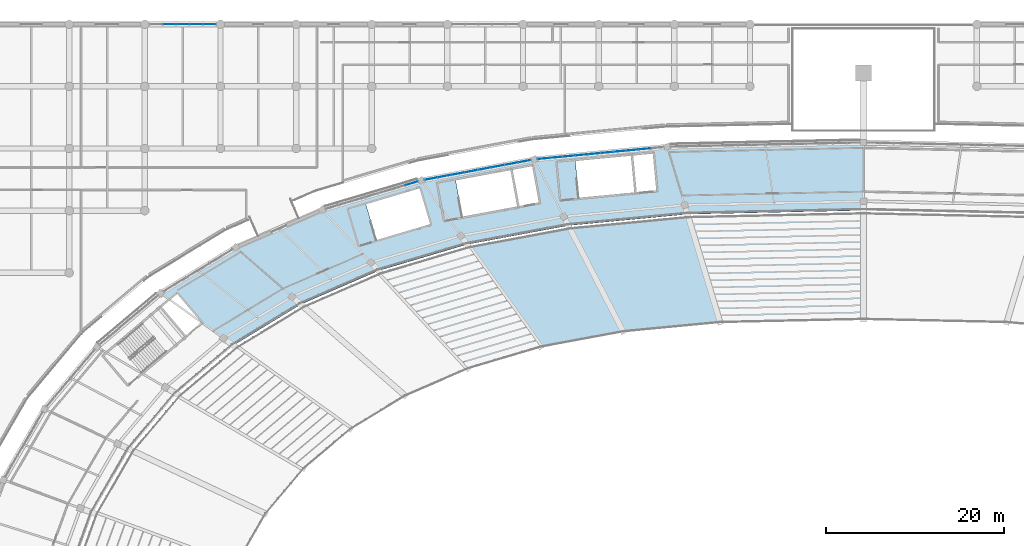
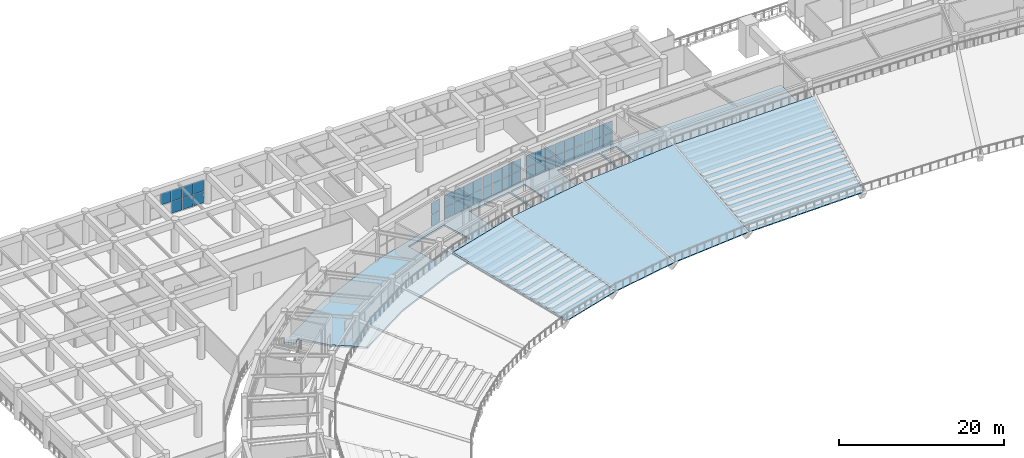
# One storey, part 85 of 137: 43 plates, 5 slabs, 4 elements without a shape of their own.
"""IFC4 building model written with IfcOpenShell, lengths in metres."""

from ifc_helpers import new_model, si_unit, direction, frame, origin, origin_2d, place, context, subcontext, project, spatial, polyline, rectangle, outline, extrude, material, layer, layer_set, type_object, element, aggregate, save


model = new_model("IFC4")

# Units and contexts
model_context = context("Model", 3, precision=1e-05, world=origin(), true_north=direction((0.0, 1.0)))
body_context = subcontext(model_context, "Body", "Model", "MODEL_VIEW")
ifc_project = project(units=[si_unit("LENGTHUNIT", "METRE"), si_unit("AREAUNIT", "SQUARE_METRE"), si_unit("VOLUMEUNIT", "CUBIC_METRE"), si_unit("PLANEANGLEUNIT", "RADIAN"), si_unit("MASSUNIT", "GRAM", prefix="KILO")], contexts=[model_context])

# Site, building, storey
site_placement = place(None, origin())
site = spatial("IfcSite", under=ifc_project, at=site_placement, CompositionType="ELEMENT")
building_placement = place(site_placement, origin())
building = spatial("IfcBuilding", under=site, at=building_placement, Name="Mphavela Belvedere Stadium", CompositionType="ELEMENT")
storey_placement = place(building_placement, frame((0.0, 0.0, 19.199951171875)))
storey = spatial("IfcBuildingStorey", under=building, at=storey_placement, Name="L04", CompositionType="ELEMENT", Elevation=19.199951171875)

# Curtain wall, plates
ifc_material_1 = material(Name="Anodised bronze unitised curtain wall framing")
ifc_layer_1 = layer(ifc_material_1, 0.195068359375)
ifc_layer_set_1 = layer_set([ifc_layer_1], Name="Anodised bronze unitised curtain wall framing")
curtain_wall_type_1 = type_object("IfcCurtainWallType", Name="CW-UNIT-04", PredefinedType="USERDEFINED", material=ifc_layer_set_1)
curtain_wall_1_placement = place(storey_placement, origin())
curtain_wall_1 = element("IfcCurtainWall", 1, at=curtain_wall_1_placement, inside=storey, type_object=curtain_wall_type_1, Name="Belvedere colonnade curtain wall L04-14", ObjectType="UNITISED CURTAIN WALL", PredefinedType="USERDEFINED")
ifc_material_2 = material(Name="Solar-control double glazing", Category="glass")
ifc_layer_2 = layer(ifc_material_2, 0.031982421875)
ifc_layer_set_2 = layer_set([ifc_layer_2], Name="Solar-control double glazing")
plate_type = type_object("IfcPlateType", Name="CWP-SOLAR-GLASS", PredefinedType="CURTAIN_PANEL", material=ifc_layer_set_2)
plate_1_placement = place(storey_placement, frame((90.399169921875, 159.956787109375, 0.06005859375), z_axis=(0.0, 0.0, 1.0), x_axis=(-0.995483672335, -0.094932913757, 0.0)))
plate_1 = element("IfcPlate", 2, at=plate_1_placement, type_object=plate_type, Name="CW-04 panel 2.1", PredefinedType="CURTAIN_PANEL", context=body_context, shape_type="SweptSolid", body=[
    extrude(rectangle(XDim=1.367919921875, YDim=0.031982421875, at=origin_2d()), origin(), (0.0, 0.0, 1.0), 1.695068359375),
])
plate_2_placement = place(storey_placement, frame((90.399169921875, 159.956787109375, 1.81494140625), z_axis=(0.0, 0.0, 1.0), x_axis=(-0.995483672335, -0.094932913757, 0.0)))
plate_2 = element("IfcPlate", 3, at=plate_2_placement, type_object=plate_type, Name="CW-04 panel 2.2", PredefinedType="CURTAIN_PANEL", context=body_context, shape_type="SweptSolid", body=[
    extrude(rectangle(XDim=1.367919921875, YDim=0.031982421875, at=origin_2d()), origin(), (0.0, 0.0, 1.0), 1.695068359375),
])
plate_3_placement = place(storey_placement, frame((88.97265625, 159.82080078125, 0.06005859375), z_axis=(0.0, 0.0, 1.0), x_axis=(-0.995483672335, -0.094932913757, 0.0)))
plate_3 = element("IfcPlate", 4, at=plate_3_placement, type_object=plate_type, Name="CW-04 panel 3.1", PredefinedType="CURTAIN_PANEL", context=body_context, shape_type="SweptSolid", body=[
    extrude(rectangle(XDim=1.367919921875, YDim=0.031982421875, at=origin_2d()), origin(), (0.0, 0.0, 1.0), 1.695068359375),
])
plate_4_placement = place(storey_placement, frame((88.97265625, 159.82080078125, 1.81494140625), z_axis=(0.0, 0.0, 1.0), x_axis=(-0.995483672335, -0.094932913757, 0.0)))
plate_4 = element("IfcPlate", 5, at=plate_4_placement, type_object=plate_type, Name="CW-04 panel 3.2", PredefinedType="CURTAIN_PANEL", context=body_context, shape_type="SweptSolid", body=[
    extrude(rectangle(XDim=1.367919921875, YDim=0.031982421875, at=origin_2d()), origin(), (0.0, 0.0, 1.0), 1.695068359375),
])
plate_5_placement = place(storey_placement, frame((87.546142578125, 159.6845703125, 0.06005859375), z_axis=(0.0, 0.0, 1.0), x_axis=(-0.995483672335, -0.094932913757, 0.0)))
plate_5 = element("IfcPlate", 6, at=plate_5_placement, type_object=plate_type, Name="CW-04 panel 4.1", PredefinedType="CURTAIN_PANEL", context=body_context, shape_type="SweptSolid", body=[
    extrude(rectangle(XDim=1.367919921875, YDim=0.031982421875, at=origin_2d()), origin(), (0.0, 0.0, 1.0), 1.695068359375),
])
plate_6_placement = place(storey_placement, frame((87.546142578125, 159.6845703125, 1.81494140625), z_axis=(0.0, 0.0, 1.0), x_axis=(-0.995483672335, -0.094932913757, 0.0)))
plate_6 = element("IfcPlate", 7, at=plate_6_placement, type_object=plate_type, Name="CW-04 panel 4.2", PredefinedType="CURTAIN_PANEL", context=body_context, shape_type="SweptSolid", body=[
    extrude(rectangle(XDim=1.367919921875, YDim=0.031982421875, at=origin_2d()), origin(), (0.0, 0.0, 1.0), 1.695068359375),
])
plate_7_placement = place(storey_placement, frame((86.11962890625, 159.548583984375, 0.06005859375), z_axis=(0.0, 0.0, 1.0), x_axis=(-0.995483672335, -0.094932913757, 0.0)))
plate_7 = element("IfcPlate", 8, at=plate_7_placement, type_object=plate_type, Name="CW-04 panel 5.1", PredefinedType="CURTAIN_PANEL", context=body_context, shape_type="SweptSolid", body=[
    extrude(rectangle(XDim=1.367919921875, YDim=0.031982421875, at=origin_2d()), origin(), (0.0, 0.0, 1.0), 1.695068359375),
])
plate_8_placement = place(storey_placement, frame((86.11962890625, 159.548583984375, 1.81494140625), z_axis=(0.0, 0.0, 1.0), x_axis=(-0.995483672335, -0.094932913757, 0.0)))
plate_8 = element("IfcPlate", 9, at=plate_8_placement, type_object=plate_type, Name="CW-04 panel 5.2", PredefinedType="CURTAIN_PANEL", context=body_context, shape_type="SweptSolid", body=[
    extrude(rectangle(XDim=1.367919921875, YDim=0.031982421875, at=origin_2d()), origin(), (0.0, 0.0, 1.0), 1.695068359375),
])
plate_9_placement = place(storey_placement, frame((84.693115234375, 159.41259765625, 0.06005859375), z_axis=(0.0, 0.0, 1.0), x_axis=(-0.995483672335, -0.094932913757, 0.0)))
plate_9 = element("IfcPlate", 10, at=plate_9_placement, type_object=plate_type, Name="CW-04 panel 6.1", PredefinedType="CURTAIN_PANEL", context=body_context, shape_type="SweptSolid", body=[
    extrude(rectangle(XDim=1.367919921875, YDim=0.031982421875, at=origin_2d()), origin(), (0.0, 0.0, 1.0), 1.695068359375),
])
plate_10_placement = place(storey_placement, frame((84.693115234375, 159.41259765625, 1.81494140625), z_axis=(0.0, 0.0, 1.0), x_axis=(-0.995483672335, -0.094932913757, 0.0)))
plate_10 = element("IfcPlate", 11, at=plate_10_placement, type_object=plate_type, Name="CW-04 panel 6.2", PredefinedType="CURTAIN_PANEL", context=body_context, shape_type="SweptSolid", body=[
    extrude(rectangle(XDim=1.367919921875, YDim=0.031982421875, at=origin_2d()), origin(), (0.0, 0.0, 1.0), 1.695068359375),
])
plate_11_placement = place(storey_placement, frame((83.2666015625, 159.276611328125, 0.06005859375), z_axis=(0.0, 0.0, 1.0), x_axis=(-0.995483672335, -0.094932913757, 0.0)))
plate_11 = element("IfcPlate", 12, at=plate_11_placement, type_object=plate_type, Name="CW-04 panel 7.1", PredefinedType="CURTAIN_PANEL", context=body_context, shape_type="SweptSolid", body=[
    extrude(rectangle(XDim=1.367919921875, YDim=0.031982421875, at=origin_2d()), origin(), (0.0, 0.0, 1.0), 1.695068359375),
])
plate_12_placement = place(storey_placement, frame((83.2666015625, 159.276611328125, 1.81494140625), z_axis=(0.0, 0.0, 1.0), x_axis=(-0.995483672335, -0.094932913757, 0.0)))
plate_12 = element("IfcPlate", 13, at=plate_12_placement, type_object=plate_type, Name="CW-04 panel 7.2", PredefinedType="CURTAIN_PANEL", context=body_context, shape_type="SweptSolid", body=[
    extrude(rectangle(XDim=1.367919921875, YDim=0.031982421875, at=origin_2d()), origin(), (0.0, 0.0, 1.0), 1.695068359375),
])
plate_13_placement = place(storey_placement, frame((81.83984375, 159.140380859375, 0.06005859375), z_axis=(0.0, 0.0, 1.0), x_axis=(-0.995483672335, -0.094932913757, 0.0)))
plate_13 = element("IfcPlate", 14, at=plate_13_placement, type_object=plate_type, Name="CW-04 panel 8.1", PredefinedType="CURTAIN_PANEL", context=body_context, shape_type="SweptSolid", body=[
    extrude(rectangle(XDim=1.367919921875, YDim=0.031982421875, at=origin_2d()), origin(), (0.0, 0.0, 1.0), 1.695068359375),
])
plate_14_placement = place(storey_placement, frame((81.83984375, 159.140380859375, 1.81494140625), z_axis=(0.0, 0.0, 1.0), x_axis=(-0.995483672335, -0.094932913757, 0.0)))
plate_14 = element("IfcPlate", 15, at=plate_14_placement, type_object=plate_type, Name="CW-04 panel 8.2", PredefinedType="CURTAIN_PANEL", context=body_context, shape_type="SweptSolid", body=[
    extrude(rectangle(XDim=1.367919921875, YDim=0.031982421875, at=origin_2d()), origin(), (0.0, 0.0, 1.0), 1.695068359375),
])
plate_15_placement = place(storey_placement, frame((80.413330078125, 159.00439453125, 0.06005859375), z_axis=(0.0, 0.0, 1.0), x_axis=(-0.995483672335, -0.094932913757, 0.0)))
plate_15 = element("IfcPlate", 16, at=plate_15_placement, type_object=plate_type, Name="CW-04 panel 9.1", PredefinedType="CURTAIN_PANEL", context=body_context, shape_type="SweptSolid", body=[
    extrude(rectangle(XDim=1.367919921875, YDim=0.031982421875, at=origin_2d()), origin(), (0.0, 0.0, 1.0), 1.695068359375),
])
plate_16_placement = place(storey_placement, frame((80.413330078125, 159.00439453125, 1.81494140625), z_axis=(0.0, 0.0, 1.0), x_axis=(-0.995483672335, -0.094932913757, 0.0)))
plate_16 = element("IfcPlate", 17, at=plate_16_placement, type_object=plate_type, Name="CW-04 panel 9.2", PredefinedType="CURTAIN_PANEL", context=body_context, shape_type="SweptSolid", body=[
    extrude(rectangle(XDim=1.367919921875, YDim=0.031982421875, at=origin_2d()), origin(), (0.0, 0.0, 1.0), 1.695068359375),
])
plate_17_placement = place(storey_placement, frame((79.0029296875, 158.869873046875, 0.06005859375), z_axis=(0.0, 0.0, 1.0), x_axis=(-0.995483672335, -0.094932913757, 0.0)))
plate_17 = element("IfcPlate", 18, at=plate_17_placement, type_object=plate_type, Name="CW-04 panel 10.1", PredefinedType="CURTAIN_PANEL", context=body_context, shape_type="SweptSolid", body=[
    extrude(rectangle(XDim=1.33544921875, YDim=0.031982421875, at=origin_2d()), origin(), (0.0, 0.0, 1.0), 1.695068359375),
])
plate_18_placement = place(storey_placement, frame((79.0029296875, 158.869873046875, 1.81494140625), z_axis=(0.0, 0.0, 1.0), x_axis=(-0.995483672335, -0.094932913757, 0.0)))
plate_18 = element("IfcPlate", 19, at=plate_18_placement, type_object=plate_type, Name="CW-04 panel 10.2", PredefinedType="CURTAIN_PANEL", context=body_context, shape_type="SweptSolid", body=[
    extrude(rectangle(XDim=1.33544921875, YDim=0.031982421875, at=origin_2d()), origin(), (0.0, 0.0, 1.0), 1.695068359375),
])
aggregate(curtain_wall_1, [plate_1, plate_2, plate_3, plate_4, plate_5, plate_6, plate_7, plate_8, plate_9, plate_10, plate_11, plate_12, plate_13, plate_14, plate_15, plate_16, plate_17, plate_18])

ifc_material_3 = material(Name="Anodised bronze unitised curtain wall framing")
ifc_layer_3 = layer(ifc_material_3, 0.199951171875)
ifc_layer_set_3 = layer_set([ifc_layer_3], Name="Anodised bronze unitised curtain wall framing")
curtain_wall_type_2 = type_object("IfcCurtainWallType", Name="CW-UNIT-05", PredefinedType="USERDEFINED", material=ifc_layer_set_3)
curtain_wall_2_placement = place(storey_placement, origin())
curtain_wall_2 = element("IfcCurtainWall", 20, at=curtain_wall_2_placement, inside=storey, type_object=curtain_wall_type_2, Name="Belvedere colonnade curtain wall L04-15", ObjectType="UNITISED CURTAIN WALL", PredefinedType="USERDEFINED")
plate_19_placement = place(storey_placement, frame((76.81640625, 158.560546875, 0.06005859375), z_axis=(0.0, 0.0, 1.0), x_axis=(-0.983096000413, -0.183090835302, 0.0)))
plate_19 = element("IfcPlate", 21, at=plate_19_placement, type_object=plate_type, Name="CW-05 panel 1.1", PredefinedType="CURTAIN_PANEL", context=body_context, shape_type="SweptSolid", body=[
    extrude(rectangle(XDim=1.433837890625, YDim=0.031982421875, at=origin_2d()), origin(), (0.0, 0.0, 1.0), 1.695068359375),
])
plate_20_placement = place(storey_placement, frame((76.81640625, 158.560546875, 1.81494140625), z_axis=(0.0, 0.0, 1.0), x_axis=(-0.983096000413, -0.183090835302, 0.0)))
plate_20 = element("IfcPlate", 22, at=plate_20_placement, type_object=plate_type, Name="CW-05 panel 1.2", PredefinedType="CURTAIN_PANEL", context=body_context, shape_type="SweptSolid", body=[
    extrude(rectangle(XDim=1.433837890625, YDim=0.031982421875, at=origin_2d()), origin(), (0.0, 0.0, 1.0), 1.695068359375),
])
plate_21_placement = place(storey_placement, frame((75.326904296875, 158.283203125, 0.06005859375), z_axis=(0.0, 0.0, 1.0), x_axis=(-0.983096000413, -0.183090835302, 0.0)))
plate_21 = element("IfcPlate", 23, at=plate_21_placement, type_object=plate_type, Name="CW-05 panel 2.1", PredefinedType="CURTAIN_PANEL", context=body_context, shape_type="SweptSolid", body=[
    extrude(rectangle(XDim=1.46630859375, YDim=0.031982421875, at=origin_2d()), origin(), (0.0, 0.0, 1.0), 1.695068359375),
])
plate_22_placement = place(storey_placement, frame((75.326904296875, 158.283203125, 1.81494140625), z_axis=(0.0, 0.0, 1.0), x_axis=(-0.983096000413, -0.183090835302, 0.0)))
plate_22 = element("IfcPlate", 24, at=plate_22_placement, type_object=plate_type, Name="CW-05 panel 2.2", PredefinedType="CURTAIN_PANEL", context=body_context, shape_type="SweptSolid", body=[
    extrude(rectangle(XDim=1.46630859375, YDim=0.031982421875, at=origin_2d()), origin(), (0.0, 0.0, 1.0), 1.695068359375),
])
plate_23_placement = place(storey_placement, frame((73.8212890625, 158.002685546875, 0.06005859375), z_axis=(0.0, 0.0, 1.0), x_axis=(-0.983096000413, -0.183090835302, 0.0)))
plate_23 = element("IfcPlate", 25, at=plate_23_placement, type_object=plate_type, Name="CW-05 panel 3.1", PredefinedType="CURTAIN_PANEL", context=body_context, shape_type="SweptSolid", body=[
    extrude(rectangle(XDim=1.46630859375, YDim=0.031982421875, at=origin_2d()), origin(), (0.0, 0.0, 1.0), 1.695068359375),
])
plate_24_placement = place(storey_placement, frame((73.8212890625, 158.002685546875, 1.81494140625), z_axis=(0.0, 0.0, 1.0), x_axis=(-0.983096000413, -0.183090835302, 0.0)))
plate_24 = element("IfcPlate", 26, at=plate_24_placement, type_object=plate_type, Name="CW-05 panel 3.2", PredefinedType="CURTAIN_PANEL", context=body_context, shape_type="SweptSolid", body=[
    extrude(rectangle(XDim=1.46630859375, YDim=0.031982421875, at=origin_2d()), origin(), (0.0, 0.0, 1.0), 1.695068359375),
])
plate_25_placement = place(storey_placement, frame((72.315673828125, 157.722412109375, 0.06005859375), z_axis=(0.0, 0.0, 1.0), x_axis=(-0.983096000413, -0.183090835302, 0.0)))
plate_25 = element("IfcPlate", 27, at=plate_25_placement, type_object=plate_type, Name="CW-05 panel 4.1", PredefinedType="CURTAIN_PANEL", context=body_context, shape_type="SweptSolid", body=[
    extrude(rectangle(XDim=1.46630859375, YDim=0.031982421875, at=origin_2d()), origin(), (0.0, 0.0, 1.0), 1.695068359375),
])
plate_26_placement = place(storey_placement, frame((72.315673828125, 157.722412109375, 1.81494140625), z_axis=(0.0, 0.0, 1.0), x_axis=(-0.983096000413, -0.183090835302, 0.0)))
plate_26 = element("IfcPlate", 28, at=plate_26_placement, type_object=plate_type, Name="CW-05 panel 4.2", PredefinedType="CURTAIN_PANEL", context=body_context, shape_type="SweptSolid", body=[
    extrude(rectangle(XDim=1.46630859375, YDim=0.031982421875, at=origin_2d()), origin(), (0.0, 0.0, 1.0), 1.695068359375),
])
plate_27_placement = place(storey_placement, frame((70.810302734375, 157.44189453125, 0.06005859375), z_axis=(0.0, 0.0, 1.0), x_axis=(-0.983096000413, -0.183090835302, 0.0)))
plate_27 = element("IfcPlate", 29, at=plate_27_placement, type_object=plate_type, Name="CW-05 panel 5.1", PredefinedType="CURTAIN_PANEL", context=body_context, shape_type="SweptSolid", body=[
    extrude(rectangle(XDim=1.46630859375, YDim=0.031982421875, at=origin_2d()), origin(), (0.0, 0.0, 1.0), 1.695068359375),
])
plate_28_placement = place(storey_placement, frame((70.810302734375, 157.44189453125, 1.81494140625), z_axis=(0.0, 0.0, 1.0), x_axis=(-0.983096000413, -0.183090835302, 0.0)))
plate_28 = element("IfcPlate", 30, at=plate_28_placement, type_object=plate_type, Name="CW-05 panel 5.2", PredefinedType="CURTAIN_PANEL", context=body_context, shape_type="SweptSolid", body=[
    extrude(rectangle(XDim=1.46630859375, YDim=0.031982421875, at=origin_2d()), origin(), (0.0, 0.0, 1.0), 1.695068359375),
])
plate_29_placement = place(storey_placement, frame((69.3046875, 157.16162109375, 0.06005859375), z_axis=(0.0, 0.0, 1.0), x_axis=(-0.983096000413, -0.183090835302, 0.0)))
plate_29 = element("IfcPlate", 31, at=plate_29_placement, type_object=plate_type, Name="CW-05 panel 6.1", PredefinedType="CURTAIN_PANEL", context=body_context, shape_type="SweptSolid", body=[
    extrude(rectangle(XDim=1.46630859375, YDim=0.031982421875, at=origin_2d()), origin(), (0.0, 0.0, 1.0), 1.695068359375),
])
plate_30_placement = place(storey_placement, frame((69.3046875, 157.16162109375, 1.81494140625), z_axis=(0.0, 0.0, 1.0), x_axis=(-0.983096000413, -0.183090835302, 0.0)))
plate_30 = element("IfcPlate", 32, at=plate_30_placement, type_object=plate_type, Name="CW-05 panel 6.2", PredefinedType="CURTAIN_PANEL", context=body_context, shape_type="SweptSolid", body=[
    extrude(rectangle(XDim=1.46630859375, YDim=0.031982421875, at=origin_2d()), origin(), (0.0, 0.0, 1.0), 1.695068359375),
])
plate_31_placement = place(storey_placement, frame((67.799072265625, 156.881103515625, 0.06005859375), z_axis=(0.0, 0.0, 1.0), x_axis=(-0.983096000413, -0.183090835302, 0.0)))
plate_31 = element("IfcPlate", 33, at=plate_31_placement, type_object=plate_type, Name="CW-05 panel 7.1", PredefinedType="CURTAIN_PANEL", context=body_context, shape_type="SweptSolid", body=[
    extrude(rectangle(XDim=1.46630859375, YDim=0.031982421875, at=origin_2d()), origin(), (0.0, 0.0, 1.0), 1.695068359375),
])
plate_32_placement = place(storey_placement, frame((67.799072265625, 156.881103515625, 1.81494140625), z_axis=(0.0, 0.0, 1.0), x_axis=(-0.983096000413, -0.183090835302, 0.0)))
plate_32 = element("IfcPlate", 34, at=plate_32_placement, type_object=plate_type, Name="CW-05 panel 7.2", PredefinedType="CURTAIN_PANEL", context=body_context, shape_type="SweptSolid", body=[
    extrude(rectangle(XDim=1.46630859375, YDim=0.031982421875, at=origin_2d()), origin(), (0.0, 0.0, 1.0), 1.695068359375),
])
plate_33_placement = place(storey_placement, frame((66.3095703125, 156.603759765625, 0.06005859375), z_axis=(0.0, 0.0, 1.0), x_axis=(-0.983096000413, -0.183090835302, 0.0)))
plate_33 = element("IfcPlate", 35, at=plate_33_placement, type_object=plate_type, Name="CW-05 panel 8.1", PredefinedType="CURTAIN_PANEL", context=body_context, shape_type="SweptSolid", body=[
    extrude(rectangle(XDim=1.433837890625, YDim=0.031982421875, at=origin_2d()), origin(), (0.0, 0.0, 1.0), 1.695068359375),
])
plate_34_placement = place(storey_placement, frame((66.3095703125, 156.603759765625, 1.81494140625), z_axis=(0.0, 0.0, 1.0), x_axis=(-0.983096000413, -0.183090835302, 0.0)))
plate_34 = element("IfcPlate", 36, at=plate_34_placement, type_object=plate_type, Name="CW-05 panel 8.2", PredefinedType="CURTAIN_PANEL", context=body_context, shape_type="SweptSolid", body=[
    extrude(rectangle(XDim=1.433837890625, YDim=0.031982421875, at=origin_2d()), origin(), (0.0, 0.0, 1.0), 1.695068359375),
])
aggregate(curtain_wall_2, [plate_19, plate_20, plate_21, plate_22, plate_23, plate_24, plate_25, plate_26, plate_27, plate_28, plate_29, plate_30, plate_31, plate_32, plate_33, plate_34])

ifc_material_4 = material(Name="Anodised bronze unitised curtain wall framing")
ifc_layer_4 = layer(ifc_material_4, 0.205078125)
ifc_layer_set_4 = layer_set([ifc_layer_4], Name="Anodised bronze unitised curtain wall framing")
curtain_wall_type_3 = type_object("IfcCurtainWallType", Name="CW-UNIT-06", PredefinedType="USERDEFINED", material=ifc_layer_set_4)
curtain_wall_3_placement = place(storey_placement, origin())
curtain_wall_3 = element("IfcCurtainWall", 37, at=curtain_wall_3_placement, inside=storey, type_object=curtain_wall_type_3, Name="Belvedere colonnade curtain wall L04-16", ObjectType="UNITISED CURTAIN WALL", PredefinedType="USERDEFINED")
plate_35_placement = place(storey_placement, frame((64.101806640625, 156.0712890625, 0.06005859375), z_axis=(0.0, 0.0, 1.0), x_axis=(-0.958657951671, -0.284560945489, 0.0)))
plate_35 = element("IfcPlate", 38, at=plate_35_placement, type_object=plate_type, Name="CW-06 panel 1.1", PredefinedType="CURTAIN_PANEL", context=body_context, shape_type="SweptSolid", body=[
    extrude(rectangle(XDim=1.462646484375, YDim=0.031982421875, at=origin_2d()), origin(), (0.0, 0.0, 1.0), 1.695068359375),
])
plate_36_placement = place(storey_placement, frame((64.101806640625, 156.0712890625, 1.81494140625), z_axis=(0.0, 0.0, 1.0), x_axis=(-0.958657951671, -0.284560945489, 0.0)))
plate_36 = element("IfcPlate", 39, at=plate_36_placement, type_object=plate_type, Name="CW-06 panel 1.2", PredefinedType="CURTAIN_PANEL", context=body_context, shape_type="SweptSolid", body=[
    extrude(rectangle(XDim=1.462646484375, YDim=0.031982421875, at=origin_2d()), origin(), (0.0, 0.0, 1.0), 1.695068359375),
])
aggregate(curtain_wall_3, [plate_35, plate_36])

curtain_wall_4_placement = place(storey_placement, origin())
curtain_wall_4 = element("IfcCurtainWall", 40, at=curtain_wall_4_placement, inside=storey, type_object=curtain_wall_type_1, Name="North Mast and Ceremonial End Forecourt gallery curtain wall L04-05", ObjectType="UNITISED CURTAIN WALL", PredefinedType="USERDEFINED")
plate_37_placement = place(storey_placement, frame((36.81884765625, 174.0, 1.81005859375), z_axis=(0.0, 0.0, 1.0), x_axis=(1.0, 0.0, 0.0)))
plate_37 = element("IfcPlate", 41, at=plate_37_placement, type_object=plate_type, Name="CW-04 panel 2.2", PredefinedType="CURTAIN_PANEL", context=body_context, shape_type="SweptSolid", body=[
    extrude(rectangle(XDim=1.44970703125, YDim=0.031982421875, at=origin_2d()), origin(), (0.0, 0.0, 1.0), 1.68994140625),
])
plate_38_placement = place(storey_placement, frame((38.33349609375, 174.0, 0.06005859375), z_axis=(0.0, 0.0, 1.0), x_axis=(1.0, 0.0, 0.0)))
plate_38 = element("IfcPlate", 42, at=plate_38_placement, type_object=plate_type, Name="CW-04 panel 3.1", PredefinedType="CURTAIN_PANEL", context=body_context, shape_type="SweptSolid", body=[
    extrude(rectangle(XDim=1.44970703125, YDim=0.031982421875, at=origin_2d()), origin(), (0.0, 0.0, 1.0), 1.68994140625),
])
plate_39_placement = place(storey_placement, frame((38.33349609375, 174.0, 1.81005859375), z_axis=(0.0, 0.0, 1.0), x_axis=(1.0, 0.0, 0.0)))
plate_39 = element("IfcPlate", 43, at=plate_39_placement, type_object=plate_type, Name="CW-04 panel 3.2", PredefinedType="CURTAIN_PANEL", context=body_context, shape_type="SweptSolid", body=[
    extrude(rectangle(XDim=1.44970703125, YDim=0.031982421875, at=origin_2d()), origin(), (0.0, 0.0, 1.0), 1.68994140625),
])
plate_40_placement = place(storey_placement, frame((39.84814453125, 174.0, 0.06005859375), z_axis=(0.0, 0.0, 1.0), x_axis=(1.0, 0.0, 0.0)))
plate_40 = element("IfcPlate", 44, at=plate_40_placement, type_object=plate_type, Name="CW-04 panel 4.1", PredefinedType="CURTAIN_PANEL", context=body_context, shape_type="SweptSolid", body=[
    extrude(rectangle(XDim=1.44970703125, YDim=0.031982421875, at=origin_2d()), origin(), (0.0, 0.0, 1.0), 1.68994140625),
])
plate_41_placement = place(storey_placement, frame((39.84814453125, 174.0, 1.81005859375), z_axis=(0.0, 0.0, 1.0), x_axis=(1.0, 0.0, 0.0)))
plate_41 = element("IfcPlate", 45, at=plate_41_placement, type_object=plate_type, Name="CW-04 panel 4.2", PredefinedType="CURTAIN_PANEL", context=body_context, shape_type="SweptSolid", body=[
    extrude(rectangle(XDim=1.44970703125, YDim=0.031982421875, at=origin_2d()), origin(), (0.0, 0.0, 1.0), 1.68994140625),
])
plate_42_placement = place(storey_placement, frame((41.346435546875, 174.0, 0.06005859375), z_axis=(0.0, 0.0, 1.0), x_axis=(1.0, 0.0, 0.0)))
plate_42 = element("IfcPlate", 46, at=plate_42_placement, type_object=plate_type, Name="CW-04 panel 5.1", PredefinedType="CURTAIN_PANEL", context=body_context, shape_type="SweptSolid", body=[
    extrude(rectangle(XDim=1.4169921875, YDim=0.031982421875, at=origin_2d()), origin(), (0.0, 0.0, 1.0), 1.68994140625),
])
plate_43_placement = place(storey_placement, frame((41.346435546875, 174.0, 1.81005859375), z_axis=(0.0, 0.0, 1.0), x_axis=(1.0, 0.0, 0.0)))
plate_43 = element("IfcPlate", 47, at=plate_43_placement, type_object=plate_type, Name="CW-04 panel 5.2", PredefinedType="CURTAIN_PANEL", context=body_context, shape_type="SweptSolid", body=[
    extrude(rectangle(XDim=1.4169921875, YDim=0.031982421875, at=origin_2d()), origin(), (0.0, 0.0, 1.0), 1.68994140625),
])
aggregate(curtain_wall_4, [plate_37, plate_38, plate_39, plate_40, plate_41, plate_42, plate_43])

# Slabs
ifc_material_5 = material(Name="Concrete C40/50", Category="concrete")
ifc_layer_5 = layer(ifc_material_5, 0.25)
ifc_layer_set_5 = layer_set([ifc_layer_5], Name="Concrete C40/50")
slab_type_1 = type_object("IfcSlabType", Name="SLB-CONCOURSE-250", PredefinedType="FLOOR", material=ifc_layer_set_5)
slab_1_placement = place(storey_placement, frame((0.0, 0.0, -0.25)))
element("IfcSlab", 48, at=slab_1_placement, inside=storey, type_object=slab_type_1, Name="Concourse sector slab L04-S3", PredefinedType="FLOOR", context=body_context, shape_type="SweptSolid", body=[
    extrude(outline(polyline([(77.92724609375, 158.767333984375), (92.885498046875, 160.19384765625), (115.0, 160.669921875), (115.0, 153.02490234375), (95.180419921875, 152.59814453125), (81.7744140625, 151.31982421875), (70.366943359375, 149.1953125), (60.385986328125, 146.232666015625), (51.64013671875, 142.44140625), (44.05859375, 137.8291015625), (40.400634765625, 140.449951171875), (37.727294921875, 143.617919921875), (36.924560546875, 142.940673828125), (35.844482421875, 143.714599609375), (44.3037109375, 148.86083984375), (54.0625, 153.09130859375), (65.19873046875, 156.39697265625), (77.92724609375, 158.767333984375)]), holes=[polyline([(75.262939453125, 157.58203125), (69.073486328125, 156.429443359375), (69.840576171875, 152.310302734375), (76.0302734375, 153.462890625), (75.262939453125, 157.58203125)]), polyline([(77.701171875, 158.0361328125), (75.479248046875, 157.622314453125), (76.246337890625, 153.503173828125), (78.46826171875, 153.9169921875), (77.701171875, 158.0361328125)]), polyline([(82.956787109375, 154.442626953125), (89.224365234375, 155.04052734375), (88.826416015625, 159.211669921875), (82.558837890625, 158.61376953125), (82.956787109375, 154.442626953125)]), polyline([(89.443359375, 155.0615234375), (91.693115234375, 155.276123046875), (91.295166015625, 159.447265625), (89.04541015625, 159.232421875), (89.443359375, 155.0615234375)]), polyline([(66.2001953125, 151.490234375), (65.008056640625, 155.507080078125), (58.97216796875, 153.7158203125), (60.164306640625, 149.698974609375), (66.2001953125, 151.490234375)])]), origin(), (0.0, 0.0, 1.0), 0.25),
])
ifc_material_6 = material(Name="Precast concrete C45/55", Category="concrete")
ifc_layer_6 = layer(ifc_material_6, 0.25)
ifc_layer_set_6 = layer_set([ifc_layer_6], Name="Precast concrete C45/55")
slab_type_2 = type_object("IfcSlabType", Name="SLB-TIER-UPPER", PredefinedType="USERDEFINED", material=ifc_layer_set_6)
slab_2_placement = place(storey_placement, frame((115.0, 140.79296875, -3.75), z_axis=(0.01092721603, -0.507481607942, 0.861593299388), x_axis=(-0.999768306672, -0.021525170699, 1.22567e-06)))
element("IfcSlab", 49, at=slab_2_placement, inside=storey, type_object=slab_type_2, Name="Upper seating tier slab L04-13", ObjectType="SEATING TIER", PredefinedType="USERDEFINED", context=body_context, shape_type="SweptSolid", body=[
    extrude(outline(polyline([(0.0, 0.0), (16.151691206773513, 5.551115123125783e-17), (19.464095084662233, -13.790359833111161), (-0.25580777393128107, -13.790446450163948), (0.0, 0.0)])), origin(), (0.0, 0.0, -1.0), 0.25),
])
slab_3_placement = place(storey_placement, frame((98.85205078125, 140.4453125, -3.75), z_axis=(0.04755214528, -0.498710276017, 0.865463375351), x_axis=(-0.995484581752, -0.094923376943, -2.121477e-06)))
element("IfcSlab", 50, at=slab_3_placement, inside=storey, type_object=slab_type_2, Name="Upper seating tier slab L04-14", ObjectType="SEATING TIER", PredefinedType="USERDEFINED", context=body_context, shape_type="SweptSolid", body=[
    extrude(outline(polyline([(0.0, 0.0), (10.971907310655197, -1.1102230246251565e-16), (15.826368518228437, -13.972898226370866), (2.430440839625605, -13.972795035418736), (0.0, 0.0)])), origin(), (0.0, 0.0, -1.0), 0.25),
])
slab_4_placement = place(storey_placement, frame((87.9296875, 139.40380859375, -3.75), z_axis=(0.089590628161, -0.48101980308, 0.872120099752), x_axis=(-0.983094579971, -0.183098462105, 2.379002e-06)))
element("IfcSlab", 51, at=slab_4_placement, inside=storey, type_object=slab_type_2, Name="Upper seating tier slab L04-15", ObjectType="SEATING TIER", PredefinedType="USERDEFINED", context=body_context, shape_type="SweptSolid", body=[
    extrude(outline(polyline([(0.0, 0.0), (9.453762833660969, 0.0), (15.302098178887304, -14.306315026292836), (3.7595355888157127, -14.30641711319916), (0.0, 0.0)])), origin(), (0.0, 0.0, -1.0), 0.25),
])
slab_5_placement = place(storey_placement, frame((78.6357421875, 137.6728515625, -3.75), z_axis=(0.134764194667, -0.453999078791, 0.880751638257), x_axis=(-0.958655220864, -0.28457014514, -2.48077e-06)))
element("IfcSlab", 52, at=slab_5_placement, inside=storey, type_object=slab_type_2, Name="Upper seating tier slab L04-16", ObjectType="SEATING TIER", PredefinedType="USERDEFINED", context=body_context, shape_type="SweptSolid", body=[
    extrude(outline(polyline([(0.0, 0.0), (8.482293570873965, 4.440892098500626e-16), (14.872351477672769, -14.78115577655728), (4.515974662824134, -14.781057093001863), (0.0, 0.0)])), origin(), (0.0, 0.0, -1.0), 0.25),
])

save(model, "model.ifc")
